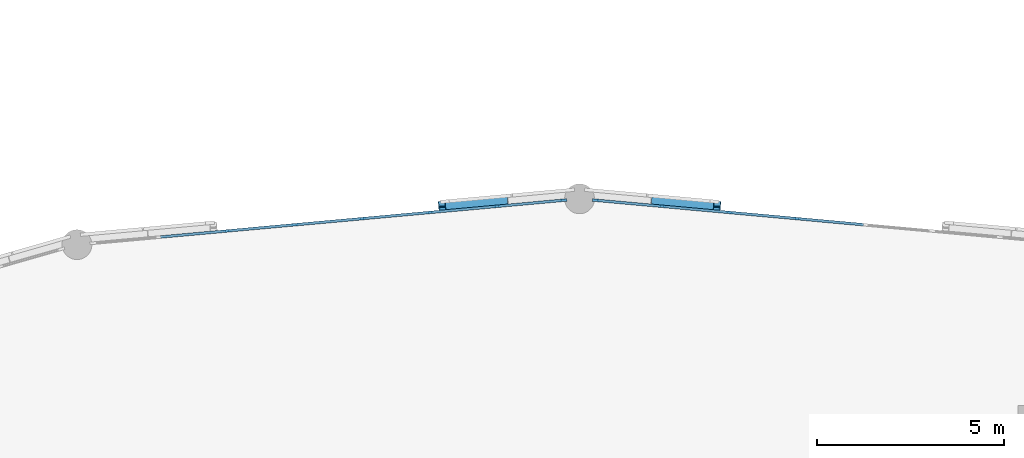
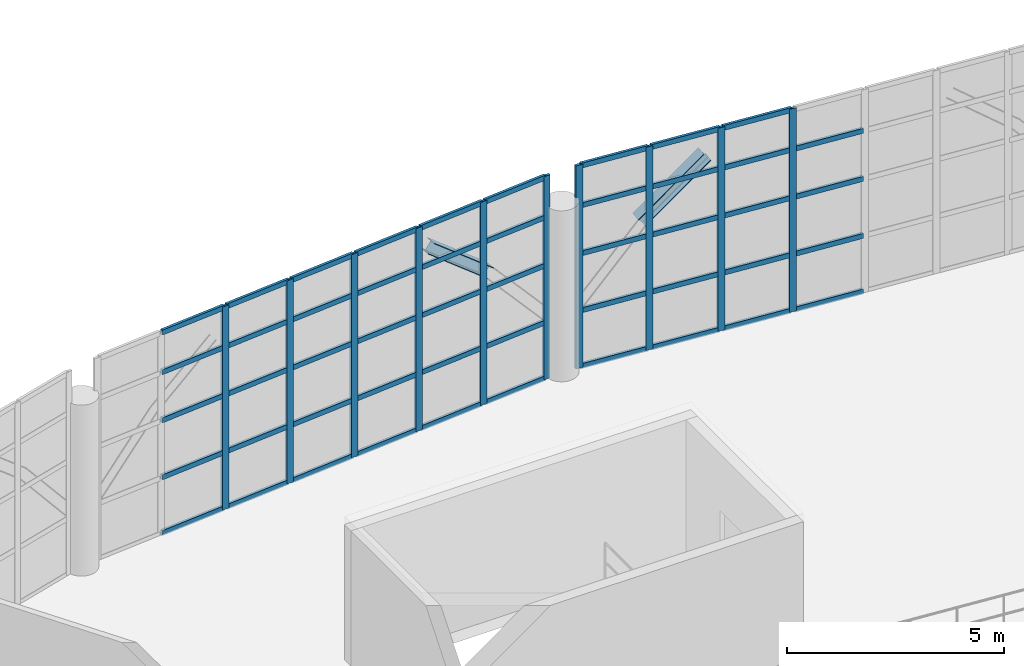
# One storey, part 39 of 109: 59 members, 2 beams, 2 elements without a shape of their own.
"""IFC4 building model written with IfcOpenShell, lengths in metres."""

from ifc_helpers import new_model, si_unit, direction, frame, origin, origin_2d, place, context, subcontext, project, spatial, rectangle, i_section, extrude, material, layer, layer_set, material_profile, profile_set, type_object, element, aggregate, save


model = new_model("IFC4")

# Units and contexts
model_context = context("Model", 3, precision=1e-05, world=origin(), true_north=direction((0.0, 1.0)))
body_context = subcontext(model_context, "Body", "Model", "MODEL_VIEW")
ifc_project = project(units=[si_unit("LENGTHUNIT", "METRE"), si_unit("AREAUNIT", "SQUARE_METRE"), si_unit("VOLUMEUNIT", "CUBIC_METRE"), si_unit("PLANEANGLEUNIT", "RADIAN"), si_unit("MASSUNIT", "GRAM", prefix="KILO")], contexts=[model_context])

# Site, building, storey
site_placement = place(None, origin())
site = spatial("IfcSite", under=ifc_project, at=site_placement, CompositionType="ELEMENT")
building_placement = place(site_placement, origin())
building = spatial("IfcBuilding", under=site, at=building_placement, Name="Kivolera Central Railway Station", CompositionType="ELEMENT")
storey_placement = place(building_placement, frame((0.0, 0.0, 9.60009765625)))
storey = spatial("IfcBuildingStorey", under=building, at=storey_placement, Name="L02", CompositionType="ELEMENT", Elevation=9.60009765625)

# Beams
ifc_material_1 = material(Name="Steel S355", Category="steel")
ifc_material_profile_1 = material_profile(ifc_material_1, i_section(OverallWidth=0.300048828125, OverallDepth=0.300048828125, WebThickness=0.010986328125, FlangeThickness=0.01904296875, FilletRadius=0.027099609375, at=origin_2d()), Name="HEB 300")
ifc_profile_set_1 = profile_set([ifc_material_profile_1], Name="Steel S355")
beam_type = type_object("IfcBeamType", Name="BM-LANT-ARCH", PredefinedType="SPANDREL", material=ifc_profile_set_1)
for number, where, z_axis, x_axis, name in (
    (1, (67.679931640625, 125.784912109375, 4.9599609375), (-0.771222269033, 0.07029694957, -0.632672546132), (-0.090773742358, -0.995871541765, 0.0), "Oval Lantern Structural Arch Rib 06.5"),
    (2, (61.97802734375, 125.93603515625, 3.599853515625), (-0.771222269033, -0.07029694957, 0.632672546132), (0.090773742358, -0.995871541765, 0.0), "Oval Lantern Structural Arch Rib 07.2"),
):
    element("IfcBeam", number, at=place(storey_placement, frame(where, z_axis=z_axis, x_axis=x_axis)), inside=storey, type_object=beam_type, Name=name, PredefinedType="SPANDREL", context=body_context, shape_type="SweptSolid", body=[
        extrude(i_section(OverallWidth=0.300048828125, OverallDepth=0.300048828125, WebThickness=0.010986328125, FlangeThickness=0.01904296875, FilletRadius=0.027099609375, at=origin_2d()), origin(), (0.0, 0.0, 1.0), 2.14990234375),
    ])

# Curtain wall, members
ifc_material_2 = material(Name="Anodised aluminium", Category="aluminium")
ifc_layer = layer(ifc_material_2, 0.179931640625, Name="Anodised aluminium")
ifc_layer_set = layer_set([ifc_layer], Name="Anodised aluminium")
curtain_wall_type = type_object("IfcCurtainWallType", Name="CW-SYS-13", PredefinedType="NOTDEFINED", material=ifc_layer_set)
curtain_wall_1_placement = place(storey_placement, origin())
curtain_wall_1 = element("IfcCurtainWall", 3, at=curtain_wall_1_placement, inside=storey, type_object=curtain_wall_type, Name="L02 Curtain Wall CW-L02-OVL-05", PredefinedType="NOTDEFINED")
ifc_material_profile_2 = material_profile(ifc_material_2, rectangle(XDim=0.070068359375, YDim=0.179931640625, at=origin_2d()), Name="ALU MULL 70x180")
ifc_profile_set_2 = profile_set([ifc_material_profile_2], Name="Anodised aluminium")
member_type_1 = type_object("IfcMemberType", Name="CWM-MUL-1", PredefinedType="MULLION", material=ifc_profile_set_2)
member_1_placement = place(storey_placement, frame((64.432861328125, 125.9609375, -0.005126953125), z_axis=(0.0, 0.0, 1.0), x_axis=(0.090833556942, 0.995866087852, 0.0)))
member_1 = element("IfcMember", 4, at=member_1_placement, type_object=member_type_1, Name="CW-13 mullion 1", PredefinedType="MULLION", context=body_context, shape_type="SweptSolid", body=[
    extrude(rectangle(XDim=0.070068359375, YDim=0.179931640625, at=origin_2d()), origin(), (0.0, 0.0, 1.0), 5.705078125),
])
member_2_placement = place(storey_placement, frame((66.20703125, 125.799072265625, -0.005126953125), z_axis=(0.0, 0.0, 1.0), x_axis=(0.090833556942, 0.995866087852, 0.0)))
member_2 = element("IfcMember", 5, at=member_2_placement, type_object=member_type_1, Name="CW-13 mullion 2", PredefinedType="MULLION", context=body_context, shape_type="SweptSolid", body=[
    extrude(rectangle(XDim=0.070068359375, YDim=0.179931640625, at=origin_2d()), origin(), (0.0, 0.0, 1.0), 5.705078125),
])
member_3_placement = place(storey_placement, frame((68.01611328125, 125.634033203125, -0.005126953125), z_axis=(0.0, 0.0, 1.0), x_axis=(0.090833556942, 0.995866087852, 0.0)))
member_3 = element("IfcMember", 6, at=member_3_placement, type_object=member_type_1, Name="CW-13 mullion 3", PredefinedType="MULLION", context=body_context, shape_type="SweptSolid", body=[
    extrude(rectangle(XDim=0.070068359375, YDim=0.179931640625, at=origin_2d()), origin(), (0.0, 0.0, 1.0), 5.705078125),
])
member_4_placement = place(storey_placement, frame((69.824951171875, 125.468994140625, -0.005126953125), z_axis=(0.0, 0.0, 1.0), x_axis=(0.090833556942, 0.995866087852, 0.0)))
member_4 = element("IfcMember", 7, at=member_4_placement, type_object=member_type_1, Name="CW-13 mullion 4", PredefinedType="MULLION", context=body_context, shape_type="SweptSolid", body=[
    extrude(rectangle(XDim=0.070068359375, YDim=0.179931640625, at=origin_2d()), origin(), (0.0, 0.0, 1.0), 5.705078125),
])

curtain_wall_2_placement = place(storey_placement, origin())
curtain_wall_2 = element("IfcCurtainWall", 8, at=curtain_wall_2_placement, inside=storey, type_object=curtain_wall_type, Name="L02 Curtain Wall CW-L02-OVL-06", PredefinedType="NOTDEFINED")
member_5_placement = place(storey_placement, frame((54.556884765625, 125.138916015625, -0.005126953125), z_axis=(0.0, 0.0, 1.0), x_axis=(-0.090833556942, 0.995866087852, 0.0)))
member_5 = element("IfcMember", 9, at=member_5_placement, type_object=member_type_1, Name="CW-13 mullion 3", PredefinedType="MULLION", context=body_context, shape_type="SweptSolid", body=[
    extrude(rectangle(XDim=0.070068359375, YDim=0.179931640625, at=origin_2d()), origin(), (0.0, 0.0, 1.0), 5.705078125),
])
member_6_placement = place(storey_placement, frame((56.365966796875, 125.303955078125, -0.005126953125), z_axis=(0.0, 0.0, 1.0), x_axis=(-0.090833556942, 0.995866087852, 0.0)))
member_6 = element("IfcMember", 10, at=member_6_placement, type_object=member_type_1, Name="CW-13 mullion 4", PredefinedType="MULLION", context=body_context, shape_type="SweptSolid", body=[
    extrude(rectangle(XDim=0.070068359375, YDim=0.179931640625, at=origin_2d()), origin(), (0.0, 0.0, 1.0), 5.705078125),
])
member_7_placement = place(storey_placement, frame((58.175048828125, 125.468994140625, -0.005126953125), z_axis=(0.0, 0.0, 1.0), x_axis=(-0.090833556942, 0.995866087852, 0.0)))
member_7 = element("IfcMember", 11, at=member_7_placement, type_object=member_type_1, Name="CW-13 mullion 5", PredefinedType="MULLION", context=body_context, shape_type="SweptSolid", body=[
    extrude(rectangle(XDim=0.070068359375, YDim=0.179931640625, at=origin_2d()), origin(), (0.0, 0.0, 1.0), 5.705078125),
])
member_8_placement = place(storey_placement, frame((59.98388671875, 125.634033203125, -0.005126953125), z_axis=(0.0, 0.0, 1.0), x_axis=(-0.090833556942, 0.995866087852, 0.0)))
member_8 = element("IfcMember", 12, at=member_8_placement, type_object=member_type_1, Name="CW-13 mullion 6", PredefinedType="MULLION", context=body_context, shape_type="SweptSolid", body=[
    extrude(rectangle(XDim=0.070068359375, YDim=0.179931640625, at=origin_2d()), origin(), (0.0, 0.0, 1.0), 5.705078125),
])
member_9_placement = place(storey_placement, frame((61.79296875, 125.799072265625, -0.005126953125), z_axis=(0.0, 0.0, 1.0), x_axis=(-0.090833556942, 0.995866087852, 0.0)))
member_9 = element("IfcMember", 13, at=member_9_placement, type_object=member_type_1, Name="CW-13 mullion 7", PredefinedType="MULLION", context=body_context, shape_type="SweptSolid", body=[
    extrude(rectangle(XDim=0.070068359375, YDim=0.179931640625, at=origin_2d()), origin(), (0.0, 0.0, 1.0), 5.705078125),
])
member_10_placement = place(storey_placement, frame((63.567138671875, 125.9609375, -0.005126953125), z_axis=(0.0, 0.0, 1.0), x_axis=(-0.090833556942, 0.995866087852, 0.0)))
member_10 = element("IfcMember", 14, at=member_10_placement, type_object=member_type_1, Name="CW-13 mullion 8", PredefinedType="MULLION", context=body_context, shape_type="SweptSolid", body=[
    extrude(rectangle(XDim=0.070068359375, YDim=0.179931640625, at=origin_2d()), origin(), (0.0, 0.0, 1.0), 5.705078125),
])

# Member
ifc_material_profile_3 = material_profile(ifc_material_2, rectangle(XDim=0.070068359375, YDim=0.139892578125, at=origin_2d()), Name="ALU TRAN 70x140")
ifc_profile_set_3 = profile_set([ifc_material_profile_3], Name="Anodised aluminium")
member_type_2 = type_object("IfcMemberType", Name="CWM-TRN-1", PredefinedType="USERDEFINED", material=ifc_profile_set_3)
member_11_placement = place(storey_placement, frame((64.4677734375, 125.957763671875, 0.034912109375), z_axis=(0.995862748795, -0.090870157711, 0.0), x_axis=(0.090870157711, 0.995862748795, 0.0)))
member_11 = element("IfcMember", 15, at=member_11_placement, type_object=member_type_2, Name="CW-13 transom 1.1", ObjectType="TRANSOM", PredefinedType="USERDEFINED", context=body_context, shape_type="SweptSolid", body=[
    extrude(rectangle(XDim=0.070068359375, YDim=0.139892578125, at=origin_2d()), origin(), (0.0, 0.0, 1.0), 1.71142578125),
])

member_12_placement = place(storey_placement, frame((64.4677734375, 125.957763671875, 1.599853515625), z_axis=(0.995862748795, -0.090870157711, 0.0), x_axis=(0.090870157711, 0.995862748795, 0.0)))
member_12 = element("IfcMember", 16, at=member_12_placement, type_object=member_type_2, Name="CW-13 transom 1.2", ObjectType="TRANSOM", PredefinedType="USERDEFINED", context=body_context, shape_type="SweptSolid", body=[
    extrude(rectangle(XDim=0.070068359375, YDim=0.139892578125, at=origin_2d()), origin(), (0.0, 0.0, 1.0), 1.71142578125),
])

member_13_placement = place(storey_placement, frame((64.4677734375, 125.957763671875, 3.199951171875), z_axis=(0.995862748795, -0.090870157711, 0.0), x_axis=(0.090870157711, 0.995862748795, 0.0)))
member_13 = element("IfcMember", 17, at=member_13_placement, type_object=member_type_2, Name="CW-13 transom 1.3", ObjectType="TRANSOM", PredefinedType="USERDEFINED", context=body_context, shape_type="SweptSolid", body=[
    extrude(rectangle(XDim=0.070068359375, YDim=0.139892578125, at=origin_2d()), origin(), (0.0, 0.0, 1.0), 1.71142578125),
])

member_14_placement = place(storey_placement, frame((64.4677734375, 125.957763671875, 4.5498046875), z_axis=(0.995862748795, -0.090870157711, 0.0), x_axis=(0.090870157711, 0.995862748795, 0.0)))
member_14 = element("IfcMember", 18, at=member_14_placement, type_object=member_type_2, Name="CW-13 transom 1.4", ObjectType="TRANSOM", PredefinedType="USERDEFINED", context=body_context, shape_type="SweptSolid", body=[
    extrude(rectangle(XDim=0.070068359375, YDim=0.139892578125, at=origin_2d()), origin(), (0.0, 0.0, 1.0), 1.71142578125),
])

member_15_placement = place(storey_placement, frame((64.4677734375, 125.957763671875, 5.664794921875), z_axis=(0.995862748795, -0.090870157711, 0.0), x_axis=(0.090870157711, 0.995862748795, 0.0)))
member_15 = element("IfcMember", 19, at=member_15_placement, type_object=member_type_2, Name="CW-13 transom 1.5", ObjectType="TRANSOM", PredefinedType="USERDEFINED", context=body_context, shape_type="SweptSolid", body=[
    extrude(rectangle(XDim=0.070068359375, YDim=0.139892578125, at=origin_2d()), origin(), (0.0, 0.0, 1.0), 1.71142578125),
])

member_16_placement = place(storey_placement, frame((66.241943359375, 125.7958984375, 0.034912109375), z_axis=(0.995863361258, -0.09086344537, 0.0), x_axis=(0.09086344537, 0.995863361258, 0.0)))
member_16 = element("IfcMember", 20, at=member_16_placement, type_object=member_type_2, Name="CW-13 transom 2.1", ObjectType="TRANSOM", PredefinedType="USERDEFINED", context=body_context, shape_type="SweptSolid", body=[
    extrude(rectangle(XDim=0.070068359375, YDim=0.139892578125, at=origin_2d()), origin(), (0.0, 0.0, 1.0), 1.74658203125),
])

member_17_placement = place(storey_placement, frame((66.241943359375, 125.7958984375, 1.599853515625), z_axis=(0.995863361258, -0.09086344537, 0.0), x_axis=(0.09086344537, 0.995863361258, 0.0)))
member_17 = element("IfcMember", 21, at=member_17_placement, type_object=member_type_2, Name="CW-13 transom 2.2", ObjectType="TRANSOM", PredefinedType="USERDEFINED", context=body_context, shape_type="SweptSolid", body=[
    extrude(rectangle(XDim=0.070068359375, YDim=0.139892578125, at=origin_2d()), origin(), (0.0, 0.0, 1.0), 1.74658203125),
])

member_18_placement = place(storey_placement, frame((66.241943359375, 125.7958984375, 3.199951171875), z_axis=(0.995863361258, -0.09086344537, 0.0), x_axis=(0.09086344537, 0.995863361258, 0.0)))
member_18 = element("IfcMember", 22, at=member_18_placement, type_object=member_type_2, Name="CW-13 transom 2.3", ObjectType="TRANSOM", PredefinedType="USERDEFINED", context=body_context, shape_type="SweptSolid", body=[
    extrude(rectangle(XDim=0.070068359375, YDim=0.139892578125, at=origin_2d()), origin(), (0.0, 0.0, 1.0), 1.74658203125),
])

member_19_placement = place(storey_placement, frame((66.241943359375, 125.7958984375, 4.5498046875), z_axis=(0.995863361258, -0.09086344537, 0.0), x_axis=(0.09086344537, 0.995863361258, 0.0)))
member_19 = element("IfcMember", 23, at=member_19_placement, type_object=member_type_2, Name="CW-13 transom 2.4", ObjectType="TRANSOM", PredefinedType="USERDEFINED", context=body_context, shape_type="SweptSolid", body=[
    extrude(rectangle(XDim=0.070068359375, YDim=0.139892578125, at=origin_2d()), origin(), (0.0, 0.0, 1.0), 1.74658203125),
])

member_20_placement = place(storey_placement, frame((66.241943359375, 125.7958984375, 5.664794921875), z_axis=(0.995863361258, -0.09086344537, 0.0), x_axis=(0.09086344537, 0.995863361258, 0.0)))
member_20 = element("IfcMember", 24, at=member_20_placement, type_object=member_type_2, Name="CW-13 transom 2.5", ObjectType="TRANSOM", PredefinedType="USERDEFINED", context=body_context, shape_type="SweptSolid", body=[
    extrude(rectangle(XDim=0.070068359375, YDim=0.139892578125, at=origin_2d()), origin(), (0.0, 0.0, 1.0), 1.74658203125),
])

member_21_placement = place(storey_placement, frame((68.05078125, 125.630859375, 0.034912109375), z_axis=(0.995863361258, -0.09086344537, 0.0), x_axis=(0.09086344537, 0.995863361258, 0.0)))
member_21 = element("IfcMember", 25, at=member_21_placement, type_object=member_type_2, Name="CW-13 transom 3.1", ObjectType="TRANSOM", PredefinedType="USERDEFINED", context=body_context, shape_type="SweptSolid", body=[
    extrude(rectangle(XDim=0.070068359375, YDim=0.139892578125, at=origin_2d()), origin(), (0.0, 0.0, 1.0), 1.74658203125),
])

member_22_placement = place(storey_placement, frame((68.05078125, 125.630859375, 1.599853515625), z_axis=(0.995863361258, -0.09086344537, 0.0), x_axis=(0.09086344537, 0.995863361258, 0.0)))
member_22 = element("IfcMember", 26, at=member_22_placement, type_object=member_type_2, Name="CW-13 transom 3.2", ObjectType="TRANSOM", PredefinedType="USERDEFINED", context=body_context, shape_type="SweptSolid", body=[
    extrude(rectangle(XDim=0.070068359375, YDim=0.139892578125, at=origin_2d()), origin(), (0.0, 0.0, 1.0), 1.74658203125),
])

member_23_placement = place(storey_placement, frame((68.05078125, 125.630859375, 3.199951171875), z_axis=(0.995863361258, -0.09086344537, 0.0), x_axis=(0.09086344537, 0.995863361258, 0.0)))
member_23 = element("IfcMember", 27, at=member_23_placement, type_object=member_type_2, Name="CW-13 transom 3.3", ObjectType="TRANSOM", PredefinedType="USERDEFINED", context=body_context, shape_type="SweptSolid", body=[
    extrude(rectangle(XDim=0.070068359375, YDim=0.139892578125, at=origin_2d()), origin(), (0.0, 0.0, 1.0), 1.74658203125),
])

member_24_placement = place(storey_placement, frame((68.05078125, 125.630859375, 4.5498046875), z_axis=(0.995863361258, -0.09086344537, 0.0), x_axis=(0.09086344537, 0.995863361258, 0.0)))
member_24 = element("IfcMember", 28, at=member_24_placement, type_object=member_type_2, Name="CW-13 transom 3.4", ObjectType="TRANSOM", PredefinedType="USERDEFINED", context=body_context, shape_type="SweptSolid", body=[
    extrude(rectangle(XDim=0.070068359375, YDim=0.139892578125, at=origin_2d()), origin(), (0.0, 0.0, 1.0), 1.74658203125),
])

member_25_placement = place(storey_placement, frame((68.05078125, 125.630859375, 5.664794921875), z_axis=(0.995863361258, -0.09086344537, 0.0), x_axis=(0.09086344537, 0.995863361258, 0.0)))
member_25 = element("IfcMember", 29, at=member_25_placement, type_object=member_type_2, Name="CW-13 transom 3.5", ObjectType="TRANSOM", PredefinedType="USERDEFINED", context=body_context, shape_type="SweptSolid", body=[
    extrude(rectangle(XDim=0.070068359375, YDim=0.139892578125, at=origin_2d()), origin(), (0.0, 0.0, 1.0), 1.74658203125),
])

member_26_placement = place(storey_placement, frame((69.85986328125, 125.4658203125, 0.034912109375), z_axis=(0.995863361258, -0.09086344537, 0.0), x_axis=(0.09086344537, 0.995863361258, 0.0)))
member_26 = element("IfcMember", 30, at=member_26_placement, type_object=member_type_2, Name="CW-13 transom 4.1", ObjectType="TRANSOM", PredefinedType="USERDEFINED", context=body_context, shape_type="SweptSolid", body=[
    extrude(rectangle(XDim=0.070068359375, YDim=0.139892578125, at=origin_2d()), origin(), (0.0, 0.0, 1.0), 1.74658203125),
])

member_27_placement = place(storey_placement, frame((69.85986328125, 125.4658203125, 1.599853515625), z_axis=(0.995863361258, -0.09086344537, 0.0), x_axis=(0.09086344537, 0.995863361258, 0.0)))
member_27 = element("IfcMember", 31, at=member_27_placement, type_object=member_type_2, Name="CW-13 transom 4.2", ObjectType="TRANSOM", PredefinedType="USERDEFINED", context=body_context, shape_type="SweptSolid", body=[
    extrude(rectangle(XDim=0.070068359375, YDim=0.139892578125, at=origin_2d()), origin(), (0.0, 0.0, 1.0), 1.74658203125),
])

member_28_placement = place(storey_placement, frame((69.85986328125, 125.4658203125, 3.199951171875), z_axis=(0.995863361258, -0.09086344537, 0.0), x_axis=(0.09086344537, 0.995863361258, 0.0)))
member_28 = element("IfcMember", 32, at=member_28_placement, type_object=member_type_2, Name="CW-13 transom 4.3", ObjectType="TRANSOM", PredefinedType="USERDEFINED", context=body_context, shape_type="SweptSolid", body=[
    extrude(rectangle(XDim=0.070068359375, YDim=0.139892578125, at=origin_2d()), origin(), (0.0, 0.0, 1.0), 1.74658203125),
])

member_29_placement = place(storey_placement, frame((69.85986328125, 125.4658203125, 4.5498046875), z_axis=(0.995863361258, -0.09086344537, 0.0), x_axis=(0.09086344537, 0.995863361258, 0.0)))
member_29 = element("IfcMember", 33, at=member_29_placement, type_object=member_type_2, Name="CW-13 transom 4.4", ObjectType="TRANSOM", PredefinedType="USERDEFINED", context=body_context, shape_type="SweptSolid", body=[
    extrude(rectangle(XDim=0.070068359375, YDim=0.139892578125, at=origin_2d()), origin(), (0.0, 0.0, 1.0), 1.74658203125),
])

aggregate(curtain_wall_1, [member_1, member_2, member_3, member_4, member_11, member_12, member_13, member_14, member_15, member_16, member_17, member_18, member_19, member_20, member_21, member_22, member_23, member_24, member_25, member_26, member_27, member_28, member_29])

member_30_placement = place(storey_placement, frame((52.782958984375, 124.977294921875, 0.034912109375), z_axis=(0.995876001019, 0.090724806943, 0.0), x_axis=(-0.090724806943, 0.995876001019, 0.0)))
member_30 = element("IfcMember", 34, at=member_30_placement, type_object=member_type_2, Name="CW-13 transom 2.1", ObjectType="TRANSOM", PredefinedType="USERDEFINED", context=body_context, shape_type="SweptSolid", body=[
    extrude(rectangle(XDim=0.070068359375, YDim=0.139892578125, at=origin_2d()), origin(), (0.0, 0.0, 1.0), 1.74658203125),
])

member_31_placement = place(storey_placement, frame((52.782958984375, 124.977294921875, 1.599853515625), z_axis=(0.995876001019, 0.090724806943, 0.0), x_axis=(-0.090724806943, 0.995876001019, 0.0)))
member_31 = element("IfcMember", 35, at=member_31_placement, type_object=member_type_2, Name="CW-13 transom 2.2", ObjectType="TRANSOM", PredefinedType="USERDEFINED", context=body_context, shape_type="SweptSolid", body=[
    extrude(rectangle(XDim=0.070068359375, YDim=0.139892578125, at=origin_2d()), origin(), (0.0, 0.0, 1.0), 1.74658203125),
])

member_32_placement = place(storey_placement, frame((52.782958984375, 124.977294921875, 3.199951171875), z_axis=(0.995876001019, 0.090724806943, 0.0), x_axis=(-0.090724806943, 0.995876001019, 0.0)))
member_32 = element("IfcMember", 36, at=member_32_placement, type_object=member_type_2, Name="CW-13 transom 2.3", ObjectType="TRANSOM", PredefinedType="USERDEFINED", context=body_context, shape_type="SweptSolid", body=[
    extrude(rectangle(XDim=0.070068359375, YDim=0.139892578125, at=origin_2d()), origin(), (0.0, 0.0, 1.0), 1.74658203125),
])

member_33_placement = place(storey_placement, frame((52.782958984375, 124.977294921875, 4.5498046875), z_axis=(0.995876001019, 0.090724806943, 0.0), x_axis=(-0.090724806943, 0.995876001019, 0.0)))
member_33 = element("IfcMember", 37, at=member_33_placement, type_object=member_type_2, Name="CW-13 transom 2.4", ObjectType="TRANSOM", PredefinedType="USERDEFINED", context=body_context, shape_type="SweptSolid", body=[
    extrude(rectangle(XDim=0.070068359375, YDim=0.139892578125, at=origin_2d()), origin(), (0.0, 0.0, 1.0), 1.74658203125),
])

member_34_placement = place(storey_placement, frame((52.782958984375, 124.977294921875, 5.664794921875), z_axis=(0.995876001019, 0.090724806943, 0.0), x_axis=(-0.090724806943, 0.995876001019, 0.0)))
member_34 = element("IfcMember", 38, at=member_34_placement, type_object=member_type_2, Name="CW-13 transom 2.5", ObjectType="TRANSOM", PredefinedType="USERDEFINED", context=body_context, shape_type="SweptSolid", body=[
    extrude(rectangle(XDim=0.070068359375, YDim=0.139892578125, at=origin_2d()), origin(), (0.0, 0.0, 1.0), 1.74658203125),
])

member_35_placement = place(storey_placement, frame((54.591796875, 125.14208984375, 0.034912109375), z_axis=(0.995863361258, 0.09086344537, 0.0), x_axis=(-0.09086344537, 0.995863361258, 0.0)))
member_35 = element("IfcMember", 39, at=member_35_placement, type_object=member_type_2, Name="CW-13 transom 3.1", ObjectType="TRANSOM", PredefinedType="USERDEFINED", context=body_context, shape_type="SweptSolid", body=[
    extrude(rectangle(XDim=0.070068359375, YDim=0.139892578125, at=origin_2d()), origin(), (0.0, 0.0, 1.0), 1.74658203125),
])

member_36_placement = place(storey_placement, frame((54.591796875, 125.14208984375, 1.599853515625), z_axis=(0.995863361258, 0.09086344537, 0.0), x_axis=(-0.09086344537, 0.995863361258, 0.0)))
member_36 = element("IfcMember", 40, at=member_36_placement, type_object=member_type_2, Name="CW-13 transom 3.2", ObjectType="TRANSOM", PredefinedType="USERDEFINED", context=body_context, shape_type="SweptSolid", body=[
    extrude(rectangle(XDim=0.070068359375, YDim=0.139892578125, at=origin_2d()), origin(), (0.0, 0.0, 1.0), 1.74658203125),
])

member_37_placement = place(storey_placement, frame((54.591796875, 125.14208984375, 3.199951171875), z_axis=(0.995863361258, 0.09086344537, 0.0), x_axis=(-0.09086344537, 0.995863361258, 0.0)))
member_37 = element("IfcMember", 41, at=member_37_placement, type_object=member_type_2, Name="CW-13 transom 3.3", ObjectType="TRANSOM", PredefinedType="USERDEFINED", context=body_context, shape_type="SweptSolid", body=[
    extrude(rectangle(XDim=0.070068359375, YDim=0.139892578125, at=origin_2d()), origin(), (0.0, 0.0, 1.0), 1.74658203125),
])

member_38_placement = place(storey_placement, frame((54.591796875, 125.14208984375, 4.5498046875), z_axis=(0.995863361258, 0.09086344537, 0.0), x_axis=(-0.09086344537, 0.995863361258, 0.0)))
member_38 = element("IfcMember", 42, at=member_38_placement, type_object=member_type_2, Name="CW-13 transom 3.4", ObjectType="TRANSOM", PredefinedType="USERDEFINED", context=body_context, shape_type="SweptSolid", body=[
    extrude(rectangle(XDim=0.070068359375, YDim=0.139892578125, at=origin_2d()), origin(), (0.0, 0.0, 1.0), 1.74658203125),
])

member_39_placement = place(storey_placement, frame((54.591796875, 125.14208984375, 5.664794921875), z_axis=(0.995863361258, 0.09086344537, 0.0), x_axis=(-0.09086344537, 0.995863361258, 0.0)))
member_39 = element("IfcMember", 43, at=member_39_placement, type_object=member_type_2, Name="CW-13 transom 3.5", ObjectType="TRANSOM", PredefinedType="USERDEFINED", context=body_context, shape_type="SweptSolid", body=[
    extrude(rectangle(XDim=0.070068359375, YDim=0.139892578125, at=origin_2d()), origin(), (0.0, 0.0, 1.0), 1.74658203125),
])

member_40_placement = place(storey_placement, frame((56.40087890625, 125.30712890625, 0.034912109375), z_axis=(0.995863361258, 0.09086344537, 0.0), x_axis=(-0.09086344537, 0.995863361258, 0.0)))
member_40 = element("IfcMember", 44, at=member_40_placement, type_object=member_type_2, Name="CW-13 transom 4.1", ObjectType="TRANSOM", PredefinedType="USERDEFINED", context=body_context, shape_type="SweptSolid", body=[
    extrude(rectangle(XDim=0.070068359375, YDim=0.139892578125, at=origin_2d()), origin(), (0.0, 0.0, 1.0), 1.74658203125),
])

member_41_placement = place(storey_placement, frame((56.40087890625, 125.30712890625, 1.599853515625), z_axis=(0.995863361258, 0.09086344537, 0.0), x_axis=(-0.09086344537, 0.995863361258, 0.0)))
member_41 = element("IfcMember", 45, at=member_41_placement, type_object=member_type_2, Name="CW-13 transom 4.2", ObjectType="TRANSOM", PredefinedType="USERDEFINED", context=body_context, shape_type="SweptSolid", body=[
    extrude(rectangle(XDim=0.070068359375, YDim=0.139892578125, at=origin_2d()), origin(), (0.0, 0.0, 1.0), 1.74658203125),
])

member_42_placement = place(storey_placement, frame((56.40087890625, 125.30712890625, 3.199951171875), z_axis=(0.995863361258, 0.09086344537, 0.0), x_axis=(-0.09086344537, 0.995863361258, 0.0)))
member_42 = element("IfcMember", 46, at=member_42_placement, type_object=member_type_2, Name="CW-13 transom 4.3", ObjectType="TRANSOM", PredefinedType="USERDEFINED", context=body_context, shape_type="SweptSolid", body=[
    extrude(rectangle(XDim=0.070068359375, YDim=0.139892578125, at=origin_2d()), origin(), (0.0, 0.0, 1.0), 1.74658203125),
])

member_43_placement = place(storey_placement, frame((56.40087890625, 125.30712890625, 4.5498046875), z_axis=(0.995863361258, 0.09086344537, 0.0), x_axis=(-0.09086344537, 0.995863361258, 0.0)))
member_43 = element("IfcMember", 47, at=member_43_placement, type_object=member_type_2, Name="CW-13 transom 4.4", ObjectType="TRANSOM", PredefinedType="USERDEFINED", context=body_context, shape_type="SweptSolid", body=[
    extrude(rectangle(XDim=0.070068359375, YDim=0.139892578125, at=origin_2d()), origin(), (0.0, 0.0, 1.0), 1.74658203125),
])

member_44_placement = place(storey_placement, frame((56.40087890625, 125.30712890625, 5.664794921875), z_axis=(0.995863361258, 0.09086344537, 0.0), x_axis=(-0.09086344537, 0.995863361258, 0.0)))
member_44 = element("IfcMember", 48, at=member_44_placement, type_object=member_type_2, Name="CW-13 transom 4.5", ObjectType="TRANSOM", PredefinedType="USERDEFINED", context=body_context, shape_type="SweptSolid", body=[
    extrude(rectangle(XDim=0.070068359375, YDim=0.139892578125, at=origin_2d()), origin(), (0.0, 0.0, 1.0), 1.74658203125),
])

member_45_placement = place(storey_placement, frame((58.2099609375, 125.47216796875, 0.034912109375), z_axis=(0.995863361258, 0.09086344537, 0.0), x_axis=(-0.09086344537, 0.995863361258, 0.0)))
member_45 = element("IfcMember", 49, at=member_45_placement, type_object=member_type_2, Name="CW-13 transom 5.1", ObjectType="TRANSOM", PredefinedType="USERDEFINED", context=body_context, shape_type="SweptSolid", body=[
    extrude(rectangle(XDim=0.070068359375, YDim=0.139892578125, at=origin_2d()), origin(), (0.0, 0.0, 1.0), 1.74658203125),
])

member_46_placement = place(storey_placement, frame((58.2099609375, 125.47216796875, 1.599853515625), z_axis=(0.995863361258, 0.09086344537, 0.0), x_axis=(-0.09086344537, 0.995863361258, 0.0)))
member_46 = element("IfcMember", 50, at=member_46_placement, type_object=member_type_2, Name="CW-13 transom 5.2", ObjectType="TRANSOM", PredefinedType="USERDEFINED", context=body_context, shape_type="SweptSolid", body=[
    extrude(rectangle(XDim=0.070068359375, YDim=0.139892578125, at=origin_2d()), origin(), (0.0, 0.0, 1.0), 1.74658203125),
])

member_47_placement = place(storey_placement, frame((58.2099609375, 125.47216796875, 3.199951171875), z_axis=(0.995863361258, 0.09086344537, 0.0), x_axis=(-0.09086344537, 0.995863361258, 0.0)))
member_47 = element("IfcMember", 51, at=member_47_placement, type_object=member_type_2, Name="CW-13 transom 5.3", ObjectType="TRANSOM", PredefinedType="USERDEFINED", context=body_context, shape_type="SweptSolid", body=[
    extrude(rectangle(XDim=0.070068359375, YDim=0.139892578125, at=origin_2d()), origin(), (0.0, 0.0, 1.0), 1.74658203125),
])

member_48_placement = place(storey_placement, frame((58.2099609375, 125.47216796875, 4.5498046875), z_axis=(0.995863361258, 0.09086344537, 0.0), x_axis=(-0.09086344537, 0.995863361258, 0.0)))
member_48 = element("IfcMember", 52, at=member_48_placement, type_object=member_type_2, Name="CW-13 transom 5.4", ObjectType="TRANSOM", PredefinedType="USERDEFINED", context=body_context, shape_type="SweptSolid", body=[
    extrude(rectangle(XDim=0.070068359375, YDim=0.139892578125, at=origin_2d()), origin(), (0.0, 0.0, 1.0), 1.74658203125),
])

member_49_placement = place(storey_placement, frame((58.2099609375, 125.47216796875, 5.664794921875), z_axis=(0.995863361258, 0.09086344537, 0.0), x_axis=(-0.09086344537, 0.995863361258, 0.0)))
member_49 = element("IfcMember", 53, at=member_49_placement, type_object=member_type_2, Name="CW-13 transom 5.5", ObjectType="TRANSOM", PredefinedType="USERDEFINED", context=body_context, shape_type="SweptSolid", body=[
    extrude(rectangle(XDim=0.070068359375, YDim=0.139892578125, at=origin_2d()), origin(), (0.0, 0.0, 1.0), 1.74658203125),
])

member_50_placement = place(storey_placement, frame((60.018798828125, 125.63720703125, 0.034912109375), z_axis=(0.995863361258, 0.09086344537, 0.0), x_axis=(-0.09086344537, 0.995863361258, 0.0)))
member_50 = element("IfcMember", 54, at=member_50_placement, type_object=member_type_2, Name="CW-13 transom 6.1", ObjectType="TRANSOM", PredefinedType="USERDEFINED", context=body_context, shape_type="SweptSolid", body=[
    extrude(rectangle(XDim=0.070068359375, YDim=0.139892578125, at=origin_2d()), origin(), (0.0, 0.0, 1.0), 1.74658203125),
])

member_51_placement = place(storey_placement, frame((60.018798828125, 125.63720703125, 1.599853515625), z_axis=(0.995863361258, 0.09086344537, 0.0), x_axis=(-0.09086344537, 0.995863361258, 0.0)))
member_51 = element("IfcMember", 55, at=member_51_placement, type_object=member_type_2, Name="CW-13 transom 6.2", ObjectType="TRANSOM", PredefinedType="USERDEFINED", context=body_context, shape_type="SweptSolid", body=[
    extrude(rectangle(XDim=0.070068359375, YDim=0.139892578125, at=origin_2d()), origin(), (0.0, 0.0, 1.0), 1.74658203125),
])

member_52_placement = place(storey_placement, frame((60.018798828125, 125.63720703125, 3.199951171875), z_axis=(0.995863361258, 0.09086344537, 0.0), x_axis=(-0.09086344537, 0.995863361258, 0.0)))
member_52 = element("IfcMember", 56, at=member_52_placement, type_object=member_type_2, Name="CW-13 transom 6.3", ObjectType="TRANSOM", PredefinedType="USERDEFINED", context=body_context, shape_type="SweptSolid", body=[
    extrude(rectangle(XDim=0.070068359375, YDim=0.139892578125, at=origin_2d()), origin(), (0.0, 0.0, 1.0), 1.74658203125),
])

member_53_placement = place(storey_placement, frame((60.018798828125, 125.63720703125, 4.5498046875), z_axis=(0.995863361258, 0.09086344537, 0.0), x_axis=(-0.09086344537, 0.995863361258, 0.0)))
member_53 = element("IfcMember", 57, at=member_53_placement, type_object=member_type_2, Name="CW-13 transom 6.4", ObjectType="TRANSOM", PredefinedType="USERDEFINED", context=body_context, shape_type="SweptSolid", body=[
    extrude(rectangle(XDim=0.070068359375, YDim=0.139892578125, at=origin_2d()), origin(), (0.0, 0.0, 1.0), 1.74658203125),
])

member_54_placement = place(storey_placement, frame((60.018798828125, 125.63720703125, 5.664794921875), z_axis=(0.995863361258, 0.09086344537, 0.0), x_axis=(-0.09086344537, 0.995863361258, 0.0)))
member_54 = element("IfcMember", 58, at=member_54_placement, type_object=member_type_2, Name="CW-13 transom 6.5", ObjectType="TRANSOM", PredefinedType="USERDEFINED", context=body_context, shape_type="SweptSolid", body=[
    extrude(rectangle(XDim=0.070068359375, YDim=0.139892578125, at=origin_2d()), origin(), (0.0, 0.0, 1.0), 1.74658203125),
])

member_55_placement = place(storey_placement, frame((61.827880859375, 125.80224609375, 0.034912109375), z_axis=(0.995862748795, 0.090870157711, 0.0), x_axis=(-0.090870157711, 0.995862748795, 0.0)))
member_55 = element("IfcMember", 59, at=member_55_placement, type_object=member_type_2, Name="CW-13 transom 7.1", ObjectType="TRANSOM", PredefinedType="USERDEFINED", context=body_context, shape_type="SweptSolid", body=[
    extrude(rectangle(XDim=0.070068359375, YDim=0.139892578125, at=origin_2d()), origin(), (0.0, 0.0, 1.0), 1.71142578125),
])

member_56_placement = place(storey_placement, frame((61.827880859375, 125.80224609375, 1.599853515625), z_axis=(0.995862748795, 0.090870157711, 0.0), x_axis=(-0.090870157711, 0.995862748795, 0.0)))
member_56 = element("IfcMember", 60, at=member_56_placement, type_object=member_type_2, Name="CW-13 transom 7.2", ObjectType="TRANSOM", PredefinedType="USERDEFINED", context=body_context, shape_type="SweptSolid", body=[
    extrude(rectangle(XDim=0.070068359375, YDim=0.139892578125, at=origin_2d()), origin(), (0.0, 0.0, 1.0), 1.71142578125),
])

member_57_placement = place(storey_placement, frame((61.827880859375, 125.80224609375, 3.199951171875), z_axis=(0.995862748795, 0.090870157711, 0.0), x_axis=(-0.090870157711, 0.995862748795, 0.0)))
member_57 = element("IfcMember", 61, at=member_57_placement, type_object=member_type_2, Name="CW-13 transom 7.3", ObjectType="TRANSOM", PredefinedType="USERDEFINED", context=body_context, shape_type="SweptSolid", body=[
    extrude(rectangle(XDim=0.070068359375, YDim=0.139892578125, at=origin_2d()), origin(), (0.0, 0.0, 1.0), 1.71142578125),
])

member_58_placement = place(storey_placement, frame((61.827880859375, 125.80224609375, 4.5498046875), z_axis=(0.995862748795, 0.090870157711, 0.0), x_axis=(-0.090870157711, 0.995862748795, 0.0)))
member_58 = element("IfcMember", 62, at=member_58_placement, type_object=member_type_2, Name="CW-13 transom 7.4", ObjectType="TRANSOM", PredefinedType="USERDEFINED", context=body_context, shape_type="SweptSolid", body=[
    extrude(rectangle(XDim=0.070068359375, YDim=0.139892578125, at=origin_2d()), origin(), (0.0, 0.0, 1.0), 1.71142578125),
])

member_59_placement = place(storey_placement, frame((61.827880859375, 125.80224609375, 5.664794921875), z_axis=(0.995862748795, 0.090870157711, 0.0), x_axis=(-0.090870157711, 0.995862748795, 0.0)))
member_59 = element("IfcMember", 63, at=member_59_placement, type_object=member_type_2, Name="CW-13 transom 7.5", ObjectType="TRANSOM", PredefinedType="USERDEFINED", context=body_context, shape_type="SweptSolid", body=[
    extrude(rectangle(XDim=0.070068359375, YDim=0.139892578125, at=origin_2d()), origin(), (0.0, 0.0, 1.0), 1.71142578125),
])

aggregate(curtain_wall_2, [member_5, member_6, member_7, member_8, member_9, member_10, member_30, member_31, member_32, member_33, member_34, member_35, member_36, member_37, member_38, member_39, member_40, member_41, member_42, member_43, member_44, member_45, member_46, member_47, member_48, member_49, member_50, member_51, member_52, member_53, member_54, member_55, member_56, member_57, member_58, member_59])

save(model, "model.ifc")
